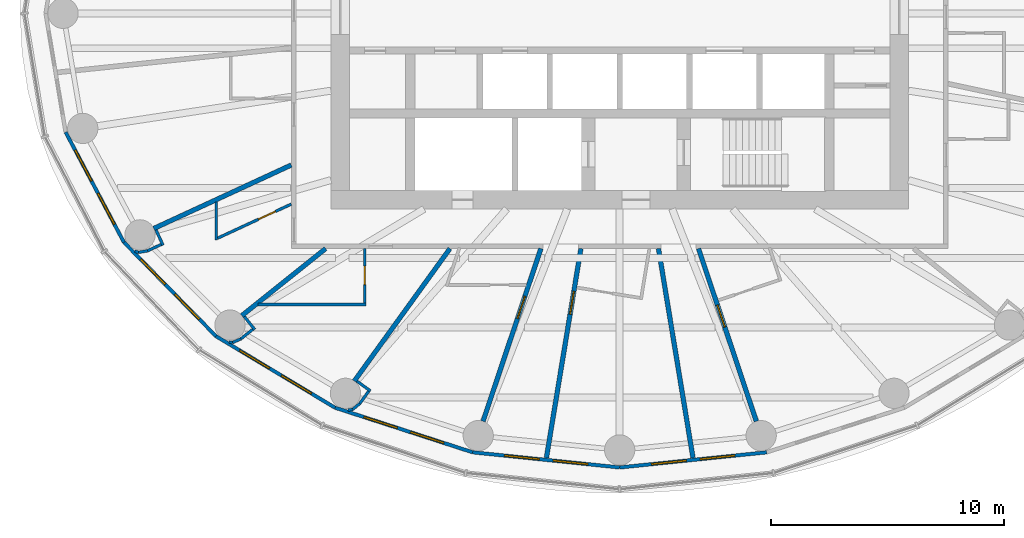
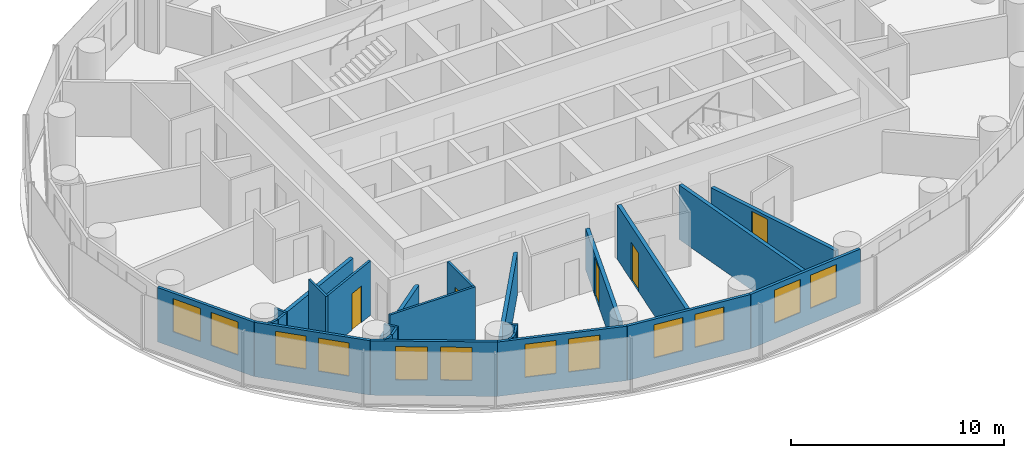
# One storey, part 6 of 14: 29 walls, 12 windows, 5 doors, 17 openings.
"""IFC4 building model written with IfcOpenShell, lengths in metres."""

from ifc_helpers import new_model, si_unit, direction, frame, frame_2d, origin, place, context, subcontext, project, spatial, rectangle, extrude, material, layer, layer_set, type_object, element, fill, save


model = new_model("IFC4")

# Units and contexts
model_context = context("Model", 3, precision=1e-05, world=origin(), true_north=direction((0.0, 1.0)))
body_context = subcontext(model_context, "Body", "Model", "MODEL_VIEW")
ifc_project = project(units=[si_unit("LENGTHUNIT", "METRE"), si_unit("AREAUNIT", "SQUARE_METRE"), si_unit("VOLUMEUNIT", "CUBIC_METRE"), si_unit("PLANEANGLEUNIT", "RADIAN"), si_unit("MASSUNIT", "GRAM", prefix="KILO")], contexts=[model_context])

# Site, building, storey
site_placement = place(None, origin())
site = spatial("IfcSite", under=ifc_project, at=site_placement, CompositionType="ELEMENT")
building_placement = place(site_placement, origin())
building = spatial("IfcBuilding", under=site, at=building_placement, Name="Hankou Lantern Tower", CompositionType="ELEMENT")
storey_placement = place(building_placement, frame((0.0, 0.0, 108.89990234375)))
storey = spatial("IfcBuildingStorey", under=building, at=storey_placement, Name="L27", CompositionType="ELEMENT", Elevation=108.89990234375)

# Wall, openings, windows
ifc_material_1 = material(Name="Aluminium spandrel panel on steel studs", Category="steel")
ifc_layer_1 = layer(ifc_material_1, 0.14990234375)
ifc_layer_set_1 = layer_set([ifc_layer_1], Name="Aluminium spandrel panel on steel studs")
wall_type_1 = type_object("IfcWallType", Name="EW1 INNER SKIN WALL 150", PredefinedType="ELEMENTEDWALL", material=ifc_layer_set_1)
wall_1_placement = place(storey_placement, frame((-23.7919921875, -5.10009765625, 0.0), z_axis=(0.0, 0.0, 1.0), x_axis=(0.467814388454, -0.883826735257, 0.0)))
wall_1 = element("IfcWall", 1, at=wall_1_placement, inside=storey, type_object=wall_type_1, Name="Inner skin R14-R15 L27", PredefinedType="ELEMENTEDWALL", context=body_context, shape_type="SweptSolid", body=[
    extrude(rectangle(XDim=5.35400390625, YDim=0.14990234375, at=frame_2d((2.677001953125, 0.0))), origin(), (0.0, 0.0, 1.0), 3.1201171875),
])
opening_1_placement = place(wall_1_placement, frame((0.876953125, 0.0, 0.89990234375)))
opening_1 = element("IfcOpeningElement", 2, at=opening_1_placement, cuts=wall_1, Name="Opening W2", PredefinedType="OPENING", context=body_context, shape_type="SweptSolid", body=[
    extrude(rectangle(XDim=1.5, YDim=1.89990234375, at=frame_2d((0.75, 0.949951171875))), frame((0.0, 0.0849609375, 0.0), z_axis=(0.0, -1.0, 0.0), x_axis=(1.0, 0.0, 0.0)), (0.0, 0.0, 1.0), 0.169921875),
])
opening_2_placement = place(wall_1_placement, frame((2.97705078125, 0.0, 0.89990234375)))
opening_2 = element("IfcOpeningElement", 3, at=opening_2_placement, cuts=wall_1, Name="Opening W2", PredefinedType="OPENING", context=body_context, shape_type="SweptSolid", body=[
    extrude(rectangle(XDim=1.5, YDim=1.89990234375, at=frame_2d((0.75, 0.949951171875))), frame((0.0, 0.0849609375, 0.0), z_axis=(0.0, -1.0, 0.0), x_axis=(1.0, 0.0, 0.0)), (0.0, 0.0, 1.0), 0.169921875),
])
ifc_material_2 = material(Name="Aluminium framed double glazed window", Category="aluminium")
window_type = type_object("IfcWindowType", Name="W2 GUEST ROOM WINDOW 1500X1900", PartitioningType="DOUBLE_PANEL_VERTICAL", PredefinedType="WINDOW", material=ifc_material_2)
window_1_placement = place(opening_1_placement, origin())
window_1 = element("IfcWindow", 4, at=window_1_placement, inside=storey, type_object=window_type, Name="Window R14.1 L27", OverallHeight=1.89990234375, OverallWidth=1.5, PartitioningType="SINGLE_PANEL", PredefinedType="WINDOW", context=body_context, shape_type="SweptSolid", body=[
    extrude(rectangle(XDim=1.5, YDim=1.89990234375, at=frame_2d((0.75, 0.949951171875))), frame((0.0, 0.030029296875, 0.0), z_axis=(0.0, -1.0, 0.0), x_axis=(1.0, 0.0, 0.0)), (0.0, 0.0, 1.0), 0.06005859375),
])
fill(opening_1, window_1)
window_2_placement = place(opening_2_placement, origin())
window_2 = element("IfcWindow", 5, at=window_2_placement, inside=storey, type_object=window_type, Name="Window R14.2 L27", OverallHeight=1.89990234375, OverallWidth=1.5, PartitioningType="SINGLE_PANEL", PredefinedType="WINDOW", context=body_context, shape_type="SweptSolid", body=[
    extrude(rectangle(XDim=1.5, YDim=1.89990234375, at=frame_2d((0.75, 0.949951171875))), frame((0.0, 0.030029296875, 0.0), z_axis=(0.0, -1.0, 0.0), x_axis=(1.0, 0.0, 0.0)), (0.0, 0.0, 1.0), 0.06005859375),
])
fill(opening_2, window_2)

wall_2_placement = place(storey_placement, frame((-21.287353515625, -9.83203125, 0.0), z_axis=(0.0, 0.0, 1.0), x_axis=(0.700136650834, -0.714008872605, 0.0)))
wall_2 = element("IfcWall", 6, at=wall_2_placement, inside=storey, type_object=wall_type_1, Name="Inner skin R15-R16 L27", PredefinedType="ELEMENTEDWALL", context=body_context, shape_type="SweptSolid", body=[
    extrude(rectangle(XDim=5.6494140625, YDim=0.14990234375, at=frame_2d((2.82470703125, 0.0))), origin(), (0.0, 0.0, 1.0), 3.1201171875),
])
opening_3_placement = place(wall_2_placement, frame((1.024658203125, 0.0, 0.89990234375)))
opening_3 = element("IfcOpeningElement", 7, at=opening_3_placement, cuts=wall_2, Name="Opening W2", PredefinedType="OPENING", context=body_context, shape_type="SweptSolid", body=[
    extrude(rectangle(XDim=1.5, YDim=1.89990234375, at=frame_2d((0.75, 0.949951171875))), frame((0.0, 0.0849609375, 0.0), z_axis=(0.0, -1.0, 0.0), x_axis=(1.0, 0.0, 0.0)), (0.0, 0.0, 1.0), 0.169921875),
])
opening_4_placement = place(wall_2_placement, frame((3.12451171875, 0.0, 0.89990234375)))
opening_4 = element("IfcOpeningElement", 8, at=opening_4_placement, cuts=wall_2, Name="Opening W2", PredefinedType="OPENING", context=body_context, shape_type="SweptSolid", body=[
    extrude(rectangle(XDim=1.5, YDim=1.89990234375, at=frame_2d((0.75, 0.949951171875))), frame((0.0, 0.0849609375, 0.0), z_axis=(0.0, -1.0, 0.0), x_axis=(1.0, 0.0, 0.0)), (0.0, 0.0, 1.0), 0.169921875),
])
window_3_placement = place(opening_3_placement, origin())
window_3 = element("IfcWindow", 9, at=window_3_placement, inside=storey, type_object=window_type, Name="Window R15.1 L27", OverallHeight=1.89990234375, OverallWidth=1.5, PartitioningType="SINGLE_PANEL", PredefinedType="WINDOW", context=body_context, shape_type="SweptSolid", body=[
    extrude(rectangle(XDim=1.5, YDim=1.89990234375, at=frame_2d((0.75, 0.949951171875))), frame((0.0, 0.030029296875, 0.0), z_axis=(0.0, -1.0, 0.0), x_axis=(1.0, 0.0, 0.0)), (0.0, 0.0, 1.0), 0.06005859375),
])
fill(opening_3, window_3)
window_4_placement = place(opening_4_placement, origin())
window_4 = element("IfcWindow", 10, at=window_4_placement, inside=storey, type_object=window_type, Name="Window R15.2 L27", OverallHeight=1.89990234375, OverallWidth=1.5, PartitioningType="SINGLE_PANEL", PredefinedType="WINDOW", context=body_context, shape_type="SweptSolid", body=[
    extrude(rectangle(XDim=1.5, YDim=1.89990234375, at=frame_2d((0.75, 0.949951171875))), frame((0.0, 0.030029296875, 0.0), z_axis=(0.0, -1.0, 0.0), x_axis=(1.0, 0.0, 0.0)), (0.0, 0.0, 1.0), 0.06005859375),
])
fill(opening_4, window_4)

wall_3_placement = place(storey_placement, frame((-17.33203125, -13.86572265625, 0.0), z_axis=(0.0, 0.0, 1.0), x_axis=(0.857308573723, -0.514802884044, 0.0)))
wall_3 = element("IfcWall", 11, at=wall_3_placement, inside=storey, type_object=wall_type_1, Name="Inner skin R16-R17 L27", PredefinedType="ELEMENTEDWALL", context=body_context, shape_type="SweptSolid", body=[
    extrude(rectangle(XDim=5.961181640625, YDim=0.14990234375, at=frame_2d((2.98046875, 0.0))), origin(), (0.0, 0.0, 1.0), 3.1201171875),
])
opening_5_placement = place(wall_3_placement, frame((1.1806640625, 0.0, 0.89990234375)))
opening_5 = element("IfcOpeningElement", 12, at=opening_5_placement, cuts=wall_3, Name="Opening W2", PredefinedType="OPENING", context=body_context, shape_type="SweptSolid", body=[
    extrude(rectangle(XDim=1.5, YDim=1.89990234375, at=frame_2d((0.75, 0.949951171875))), frame((0.0, 0.0849609375, 0.0), z_axis=(0.0, -1.0, 0.0), x_axis=(1.0, 0.0, 0.0)), (0.0, 0.0, 1.0), 0.169921875),
])
opening_6_placement = place(wall_3_placement, frame((3.280517578125, 0.0, 0.89990234375)))
opening_6 = element("IfcOpeningElement", 13, at=opening_6_placement, cuts=wall_3, Name="Opening W2", PredefinedType="OPENING", context=body_context, shape_type="SweptSolid", body=[
    extrude(rectangle(XDim=1.5, YDim=1.89990234375, at=frame_2d((0.75, 0.949951171875))), frame((0.0, 0.0849609375, 0.0), z_axis=(0.0, -1.0, 0.0), x_axis=(1.0, 0.0, 0.0)), (0.0, 0.0, 1.0), 0.169921875),
])
window_5_placement = place(opening_5_placement, origin())
window_5 = element("IfcWindow", 14, at=window_5_placement, inside=storey, type_object=window_type, Name="Window R16.1 L27", OverallHeight=1.89990234375, OverallWidth=1.5, PartitioningType="SINGLE_PANEL", PredefinedType="WINDOW", context=body_context, shape_type="SweptSolid", body=[
    extrude(rectangle(XDim=1.5, YDim=1.89990234375, at=frame_2d((0.75, 0.949951171875))), frame((0.0, 0.030029296875, 0.0), z_axis=(0.0, -1.0, 0.0), x_axis=(1.0, 0.0, 0.0)), (0.0, 0.0, 1.0), 0.06005859375),
])
fill(opening_5, window_5)
window_6_placement = place(opening_6_placement, origin())
window_6 = element("IfcWindow", 15, at=window_6_placement, inside=storey, type_object=window_type, Name="Window R16.2 L27", OverallHeight=1.89990234375, OverallWidth=1.5, PartitioningType="SINGLE_PANEL", PredefinedType="WINDOW", context=body_context, shape_type="SweptSolid", body=[
    extrude(rectangle(XDim=1.5, YDim=1.89990234375, at=frame_2d((0.75, 0.949951171875))), frame((0.0, 0.030029296875, 0.0), z_axis=(0.0, -1.0, 0.0), x_axis=(1.0, 0.0, 0.0)), (0.0, 0.0, 1.0), 0.06005859375),
])
fill(opening_6, window_6)

wall_4_placement = place(storey_placement, frame((-12.221435546875, -16.9345703125, 0.0), z_axis=(0.0, 0.0, 1.0), x_axis=(0.951272691506, -0.308350881944, 0.0)))
wall_4 = element("IfcWall", 16, at=wall_4_placement, inside=storey, type_object=wall_type_1, Name="Inner skin R17-R18 L27", PredefinedType="ELEMENTEDWALL", context=body_context, shape_type="SweptSolid", body=[
    extrude(rectangle(XDim=6.210693359375, YDim=0.14990234375, at=frame_2d((3.10546875, 0.0))), origin(), (0.0, 0.0, 1.0), 3.1201171875),
])
opening_7_placement = place(wall_4_placement, frame((1.305419921875, 0.0, 0.89990234375)))
opening_7 = element("IfcOpeningElement", 17, at=opening_7_placement, cuts=wall_4, Name="Opening W2", PredefinedType="OPENING", context=body_context, shape_type="SweptSolid", body=[
    extrude(rectangle(XDim=1.5, YDim=1.89990234375, at=frame_2d((0.75, 0.949951171875))), frame((0.0, 0.0849609375, 0.0), z_axis=(0.0, -1.0, 0.0), x_axis=(1.0, 0.0, 0.0)), (0.0, 0.0, 1.0), 0.169921875),
])
opening_8_placement = place(wall_4_placement, frame((3.4052734375, 0.0, 0.89990234375)))
opening_8 = element("IfcOpeningElement", 18, at=opening_8_placement, cuts=wall_4, Name="Opening W2", PredefinedType="OPENING", context=body_context, shape_type="SweptSolid", body=[
    extrude(rectangle(XDim=1.5, YDim=1.89990234375, at=frame_2d((0.75, 0.949951171875))), frame((0.0, 0.0849609375, 0.0), z_axis=(0.0, -1.0, 0.0), x_axis=(1.0, 0.0, 0.0)), (0.0, 0.0, 1.0), 0.169921875),
])
window_7_placement = place(opening_7_placement, origin())
window_7 = element("IfcWindow", 19, at=window_7_placement, inside=storey, type_object=window_type, Name="Window R17.1 L27", OverallHeight=1.89990234375, OverallWidth=1.5, PartitioningType="SINGLE_PANEL", PredefinedType="WINDOW", context=body_context, shape_type="SweptSolid", body=[
    extrude(rectangle(XDim=1.5, YDim=1.89990234375, at=frame_2d((0.75, 0.949951171875))), frame((0.0, 0.030029296875, 0.0), z_axis=(0.0, -1.0, 0.0), x_axis=(1.0, 0.0, 0.0)), (0.0, 0.0, 1.0), 0.06005859375),
])
fill(opening_7, window_7)
window_8_placement = place(opening_8_placement, origin())
window_8 = element("IfcWindow", 20, at=window_8_placement, inside=storey, type_object=window_type, Name="Window R17.2 L27", OverallHeight=1.89990234375, OverallWidth=1.5, PartitioningType="SINGLE_PANEL", PredefinedType="WINDOW", context=body_context, shape_type="SweptSolid", body=[
    extrude(rectangle(XDim=1.5, YDim=1.89990234375, at=frame_2d((0.75, 0.949951171875))), frame((0.0, 0.030029296875, 0.0), z_axis=(0.0, -1.0, 0.0), x_axis=(1.0, 0.0, 0.0)), (0.0, 0.0, 1.0), 0.06005859375),
])
fill(opening_8, window_8)

wall_5_placement = place(storey_placement, frame((-6.3134765625, -18.849609375, 0.0), z_axis=(0.0, 0.0, 1.0), x_axis=(0.994735690163, -0.102473931887, 0.0)))
wall_5 = element("IfcWall", 21, at=wall_5_placement, inside=storey, type_object=wall_type_1, Name="Inner skin R18-R19 L27", PredefinedType="ELEMENTEDWALL", context=body_context, shape_type="SweptSolid", body=[
    extrude(rectangle(XDim=6.346923828125, YDim=0.14990234375, at=frame_2d((3.17333984375, 0.0))), origin(), (0.0, 0.0, 1.0), 3.1201171875),
])
opening_9_placement = place(wall_5_placement, frame((1.373291015625, 0.0, 0.89990234375)))
opening_9 = element("IfcOpeningElement", 22, at=opening_9_placement, cuts=wall_5, Name="Opening W2", PredefinedType="OPENING", context=body_context, shape_type="SweptSolid", body=[
    extrude(rectangle(XDim=1.5, YDim=1.89990234375, at=frame_2d((0.75, 0.949951171875))), frame((0.0, 0.0849609375, 0.0), z_axis=(0.0, -1.0, 0.0), x_axis=(1.0, 0.0, 0.0)), (0.0, 0.0, 1.0), 0.169921875),
])
opening_10_placement = place(wall_5_placement, frame((3.473388671875, 0.0, 0.89990234375)))
opening_10 = element("IfcOpeningElement", 23, at=opening_10_placement, cuts=wall_5, Name="Opening W2", PredefinedType="OPENING", context=body_context, shape_type="SweptSolid", body=[
    extrude(rectangle(XDim=1.5, YDim=1.89990234375, at=frame_2d((0.75, 0.949951171875))), frame((0.0, 0.0849609375, 0.0), z_axis=(0.0, -1.0, 0.0), x_axis=(1.0, 0.0, 0.0)), (0.0, 0.0, 1.0), 0.169921875),
])
window_9_placement = place(opening_9_placement, origin())
window_9 = element("IfcWindow", 24, at=window_9_placement, inside=storey, type_object=window_type, Name="Window R18.1 L27", OverallHeight=1.89990234375, OverallWidth=1.5, PartitioningType="SINGLE_PANEL", PredefinedType="WINDOW", context=body_context, shape_type="SweptSolid", body=[
    extrude(rectangle(XDim=1.5, YDim=1.89990234375, at=frame_2d((0.75, 0.949951171875))), frame((0.0, 0.030029296875, 0.0), z_axis=(0.0, -1.0, 0.0), x_axis=(1.0, 0.0, 0.0)), (0.0, 0.0, 1.0), 0.06005859375),
])
fill(opening_9, window_9)
window_10_placement = place(opening_10_placement, origin())
window_10 = element("IfcWindow", 25, at=window_10_placement, inside=storey, type_object=window_type, Name="Window R18.2 L27", OverallHeight=1.89990234375, OverallWidth=1.5, PartitioningType="SINGLE_PANEL", PredefinedType="WINDOW", context=body_context, shape_type="SweptSolid", body=[
    extrude(rectangle(XDim=1.5, YDim=1.89990234375, at=frame_2d((0.75, 0.949951171875))), frame((0.0, 0.030029296875, 0.0), z_axis=(0.0, -1.0, 0.0), x_axis=(1.0, 0.0, 0.0)), (0.0, 0.0, 1.0), 0.06005859375),
])
fill(opening_10, window_10)

wall_6_placement = place(storey_placement, frame((0.0, -19.5, 0.0), z_axis=(0.0, 0.0, 1.0), x_axis=(0.994735690163, 0.102473931887, 0.0)))
wall_6 = element("IfcWall", 26, at=wall_6_placement, inside=storey, type_object=wall_type_1, Name="Inner skin R19-R20 L27", PredefinedType="ELEMENTEDWALL", context=body_context, shape_type="SweptSolid", body=[
    extrude(rectangle(XDim=6.346923828125, YDim=0.14990234375, at=frame_2d((3.17333984375, 0.0))), origin(), (0.0, 0.0, 1.0), 3.1201171875),
])
opening_11_placement = place(wall_6_placement, frame((1.373291015625, 0.0, 0.89990234375)))
opening_11 = element("IfcOpeningElement", 27, at=opening_11_placement, cuts=wall_6, Name="Opening W2", PredefinedType="OPENING", context=body_context, shape_type="SweptSolid", body=[
    extrude(rectangle(XDim=1.5, YDim=1.89990234375, at=frame_2d((0.75, 0.949951171875))), frame((0.0, 0.0849609375, 0.0), z_axis=(0.0, -1.0, 0.0), x_axis=(1.0, 0.0, 0.0)), (0.0, 0.0, 1.0), 0.169921875),
])
opening_12_placement = place(wall_6_placement, frame((3.473388671875, 0.0, 0.89990234375)))
opening_12 = element("IfcOpeningElement", 28, at=opening_12_placement, cuts=wall_6, Name="Opening W2", PredefinedType="OPENING", context=body_context, shape_type="SweptSolid", body=[
    extrude(rectangle(XDim=1.5, YDim=1.89990234375, at=frame_2d((0.75, 0.949951171875))), frame((0.0, 0.0849609375, 0.0), z_axis=(0.0, -1.0, 0.0), x_axis=(1.0, 0.0, 0.0)), (0.0, 0.0, 1.0), 0.169921875),
])
window_11_placement = place(opening_11_placement, origin())
window_11 = element("IfcWindow", 29, at=window_11_placement, inside=storey, type_object=window_type, Name="Window R19.1 L27", OverallHeight=1.89990234375, OverallWidth=1.5, PartitioningType="SINGLE_PANEL", PredefinedType="WINDOW", context=body_context, shape_type="SweptSolid", body=[
    extrude(rectangle(XDim=1.5, YDim=1.89990234375, at=frame_2d((0.75, 0.949951171875))), frame((0.0, 0.030029296875, 0.0), z_axis=(0.0, -1.0, 0.0), x_axis=(1.0, 0.0, 0.0)), (0.0, 0.0, 1.0), 0.06005859375),
])
fill(opening_11, window_11)
window_12_placement = place(opening_12_placement, origin())
window_12 = element("IfcWindow", 30, at=window_12_placement, inside=storey, type_object=window_type, Name="Window R19.2 L27", OverallHeight=1.89990234375, OverallWidth=1.5, PartitioningType="SINGLE_PANEL", PredefinedType="WINDOW", context=body_context, shape_type="SweptSolid", body=[
    extrude(rectangle(XDim=1.5, YDim=1.89990234375, at=frame_2d((0.75, 0.949951171875))), frame((0.0, 0.030029296875, 0.0), z_axis=(0.0, -1.0, 0.0), x_axis=(1.0, 0.0, 0.0)), (0.0, 0.0, 1.0), 0.06005859375),
])
fill(opening_12, window_12)

# Walls
ifc_material_3 = material(Name="Masonry lightweight concrete block", Category="masonry")
ifc_layer_2 = layer(ifc_material_3, 0.199951171875)
ifc_layer_set_2 = layer_set([ifc_layer_2], Name="Masonry lightweight concrete block")
wall_type_2 = type_object("IfcWallType", Name="IW1 GUEST ROOM PARTY WALL 200", PredefinedType="PARTITIONING", material=ifc_layer_set_2)
wall_7_placement = place(storey_placement, frame((-14.10009765625, -6.512451171875, 0.0), z_axis=(0.0, 0.0, 1.0), x_axis=(-0.907833019998, -0.419331858797, 0.0)))
element("IfcWall", 31, at=wall_7_placement, inside=storey, type_object=wall_type_2, Name="Party wall R15", PredefinedType="PARTITIONING", context=body_context, shape_type="SweptSolid", body=[
    extrude(rectangle(XDim=6.505126953125, YDim=0.199951171875, at=frame_2d((3.25244140625, 0.0))), origin(), (0.0, 0.0, 1.0), 2.27001953125),
])
wall_8_placement = place(storey_placement, frame((-12.625, -10.10009765625, 0.0), z_axis=(0.0, 0.0, 1.0), x_axis=(-0.780863644897, -0.624701503182, 0.0)))
element("IfcWall", 32, at=wall_8_placement, inside=storey, type_object=wall_type_2, Name="Party wall R16", PredefinedType="PARTITIONING", context=body_context, shape_type="SweptSolid", body=[
    extrude(rectangle(XDim=4.612060546875, YDim=0.199951171875, at=frame_2d((2.30615234375, 0.0))), origin(), (0.0, 0.0, 1.0), 2.3701171875),
])
wall_9_placement = place(storey_placement, frame((-7.2890625, -10.10009765625, 0.0), z_axis=(0.0, 0.0, 1.0), x_axis=(-0.585217367024, -0.81087645997, 0.0)))
element("IfcWall", 33, at=wall_9_placement, inside=storey, type_object=wall_type_2, Name="Party wall R17", PredefinedType="PARTITIONING", context=body_context, shape_type="SweptSolid", body=[
    extrude(rectangle(XDim=7.01611328125, YDim=0.199951171875, at=frame_2d((3.508056640625, 0.0))), origin(), (0.0, 0.0, 1.0), 2.3701171875),
])

# Wall, opening, door
ifc_material_4 = material(Name="Masonry lightweight concrete block", Category="masonry")
ifc_layer_3 = layer(ifc_material_4, 0.199951171875)
ifc_layer_set_3 = layer_set([ifc_layer_3], Name="Masonry lightweight concrete block")
wall_type_3 = type_object("IfcWallType", Name="IW2 CORRIDOR WALL 200", PredefinedType="PARTITIONING", material=ifc_layer_set_3)
wall_10_placement = place(storey_placement, frame((-3.3828125, -10.10009765625, 0.0), z_axis=(0.0, 0.0, 1.0), x_axis=(-0.317603705574, -0.948223542318, 0.0)))
wall_10 = element("IfcWall", 34, at=wall_10_placement, inside=storey, type_object=wall_type_3, Name="Corridor spur wall R18", PredefinedType="PARTITIONING", context=body_context, shape_type="SweptSolid", body=[
    extrude(rectangle(XDim=7.822998046875, YDim=0.199951171875, at=frame_2d((3.91162109375, 0.0))), origin(), (0.0, 0.0, 1.0), 2.3701171875),
])
opening_13_placement = place(wall_10_placement, frame((2.168212890625, 0.0, 0.0)))
opening_13 = element("IfcOpeningElement", 35, at=opening_13_placement, cuts=wall_10, Name="Opening D1", PredefinedType="OPENING", context=body_context, shape_type="SweptSolid", body=[
    extrude(rectangle(XDim=1.0, YDim=2.199951171875, at=frame_2d((0.5, 1.10009765625))), frame((0.0, 0.10986328125, 0.0), z_axis=(0.0, -1.0, 0.0), x_axis=(1.0, 0.0, 0.0)), (0.0, 0.0, 1.0), 0.219970703125),
])
ifc_material_5 = material(Name="Steel door leaf", Category="steel")
door_type_1 = type_object("IfcDoorType", Name="D1 GUEST ROOM DOOR 1000X2200", OperationType="SINGLE_SWING_LEFT", PredefinedType="DOOR", material=ifc_material_5)
door_1_placement = place(opening_13_placement, origin())
door_1 = element("IfcDoor", 36, at=door_1_placement, inside=storey, type_object=door_type_1, Name="Guest room door 2711", OperationType="SINGLE_SWING_LEFT", OverallHeight=2.199951171875, OverallWidth=1.0, PredefinedType="DOOR", context=body_context, shape_type="SweptSolid", body=[
    extrude(rectangle(XDim=1.0, YDim=2.199951171875, at=frame_2d((0.5, 1.10009765625))), frame((0.0, 0.02490234375, 0.0), z_axis=(0.0, -1.0, 0.0), x_axis=(1.0, 0.0, 0.0)), (0.0, 0.0, 1.0), 0.050048828125),
])
fill(opening_13, door_1)

wall_11_placement = place(storey_placement, frame((-1.665283203125, -10.10009765625, 0.0), z_axis=(0.0, 0.0, 1.0), x_axis=(-0.162660519103, -0.986682094459, 0.0)))
wall_11 = element("IfcWall", 37, at=wall_11_placement, inside=storey, type_object=wall_type_3, Name="Corridor spur wall R18-R19", PredefinedType="PARTITIONING", context=body_context, shape_type="SweptSolid", body=[
    extrude(rectangle(XDim=9.110595703125, YDim=0.199951171875, at=frame_2d((4.55517578125, 0.0))), origin(), (0.0, 0.0, 1.0), 3.1201171875),
])
opening_14_placement = place(wall_11_placement, frame((1.860107421875, 0.0, 0.0)))
opening_14 = element("IfcOpeningElement", 38, at=opening_14_placement, cuts=wall_11, Name="Opening D1", PredefinedType="OPENING", context=body_context, shape_type="SweptSolid", body=[
    extrude(rectangle(XDim=1.0, YDim=2.199951171875, at=frame_2d((0.5, 1.10009765625))), frame((0.0, 0.10986328125, 0.0), z_axis=(0.0, -1.0, 0.0), x_axis=(1.0, 0.0, 0.0)), (0.0, 0.0, 1.0), 0.219970703125),
])
door_2_placement = place(opening_14_placement, origin())
door_2 = element("IfcDoor", 39, at=door_2_placement, inside=storey, type_object=door_type_1, Name="Guest room door 2713", OperationType="SINGLE_SWING_LEFT", OverallHeight=2.199951171875, OverallWidth=1.0, PredefinedType="DOOR", context=body_context, shape_type="SweptSolid", body=[
    extrude(rectangle(XDim=1.0, YDim=2.199951171875, at=frame_2d((0.5, 1.10009765625))), frame((0.0, 0.02490234375, 0.0), z_axis=(0.0, -1.0, 0.0), x_axis=(1.0, 0.0, 0.0)), (0.0, 0.0, 1.0), 0.050048828125),
])
fill(opening_14, door_2)

# Wall
wall_12_placement = place(storey_placement, frame((1.665283203125, -10.10009765625, 0.0), z_axis=(0.0, 0.0, 1.0), x_axis=(0.162660519103, -0.986682094459, 0.0)))
element("IfcWall", 40, at=wall_12_placement, inside=storey, type_object=wall_type_3, Name="Corridor spur wall R19-R20", PredefinedType="PARTITIONING", context=body_context, shape_type="SweptSolid", body=[
    extrude(rectangle(XDim=9.110595703125, YDim=0.199951171875, at=frame_2d((4.55517578125, 0.0))), origin(), (0.0, 0.0, 1.0), 3.1201171875),
])

# Wall, opening, door
wall_13_placement = place(storey_placement, frame((3.3828125, -10.10009765625, 0.0), z_axis=(0.0, 0.0, 1.0), x_axis=(0.317603705574, -0.948223542318, 0.0)))
wall_13 = element("IfcWall", 41, at=wall_13_placement, inside=storey, type_object=wall_type_3, Name="Corridor spur wall R20", PredefinedType="PARTITIONING", context=body_context, shape_type="SweptSolid", body=[
    extrude(rectangle(XDim=7.822998046875, YDim=0.199951171875, at=frame_2d((3.91162109375, 0.0))), origin(), (0.0, 0.0, 1.0), 2.3701171875),
])
opening_15_placement = place(wall_13_placement, frame((2.56005859375, 0.0, 0.0)))
opening_15 = element("IfcOpeningElement", 42, at=opening_15_placement, cuts=wall_13, Name="Opening D2", PredefinedType="OPENING", context=body_context, shape_type="SweptSolid", body=[
    extrude(rectangle(XDim=1.0, YDim=2.199951171875, at=frame_2d((0.5, 1.10009765625))), frame((0.0, 0.10986328125, 0.0), z_axis=(0.0, -1.0, 0.0), x_axis=(1.0, 0.0, 0.0)), (0.0, 0.0, 1.0), 0.219970703125),
])
ifc_material_6 = material(Name="Steel door leaf", Category="steel")
door_type_2 = type_object("IfcDoorType", Name="D2 SUITE DOOR 1000X2200", OperationType="SINGLE_SWING_LEFT", PredefinedType="DOOR", material=ifc_material_6)
door_3_placement = place(opening_15_placement, origin())
door_3 = element("IfcDoor", 43, at=door_3_placement, inside=storey, type_object=door_type_2, Name="Suite door 2715", OperationType="SINGLE_SWING_LEFT", OverallHeight=2.199951171875, OverallWidth=1.0, PredefinedType="DOOR", context=body_context, shape_type="SweptSolid", body=[
    extrude(rectangle(XDim=1.0, YDim=2.199951171875, at=frame_2d((0.5, 1.10009765625))), frame((0.0, 0.02490234375, 0.0), z_axis=(0.0, -1.0, 0.0), x_axis=(1.0, 0.0, 0.0)), (0.0, 0.0, 1.0), 0.050048828125),
])
fill(opening_15, door_3)

# Wall
ifc_material_7 = material(Name="Masonry lightweight concrete block", Category="masonry")
ifc_layer_4 = layer(ifc_material_7, 0.1201171875)
ifc_layer_set_4 = layer_set([ifc_layer_4], Name="Masonry lightweight concrete block")
wall_type_4 = type_object("IfcWallType", Name="IW3 BATHROOM WALL 120", PredefinedType="PARTITIONING", material=ifc_layer_set_4)
wall_14_placement = place(storey_placement, frame((-17.32275390625, -8.10107421875, 0.0), z_axis=(0.0, 0.0, 1.0), x_axis=(0.0, -1.0, 0.0)))
element("IfcWall", 44, at=wall_14_placement, inside=storey, type_object=wall_type_4, Name="Box wall 2709 1", PredefinedType="PARTITIONING", context=body_context, shape_type="SweptSolid", body=[
    extrude(rectangle(XDim=1.639892578125, YDim=0.1201171875, at=frame_2d((0.81982421875, 0.0))), origin(), (0.0, 0.0, 1.0), 3.1201171875),
])

# Wall, opening, door
wall_15_placement = place(storey_placement, frame((-14.10009765625, -8.192626953125, 0.0), z_axis=(0.0, 0.0, 1.0), x_axis=(-0.907836493557, -0.419324338628, 0.0)))
wall_15 = element("IfcWall", 45, at=wall_15_placement, inside=storey, type_object=wall_type_4, Name="Box wall 2709 1", PredefinedType="PARTITIONING", context=body_context, shape_type="SweptSolid", body=[
    extrude(rectangle(XDim=3.48974609375, YDim=0.1201171875, at=frame_2d((1.744873046875, 0.0))), origin(), (0.0, 0.0, 1.0), 3.1201171875),
])
opening_16_placement = place(wall_15_placement, frame((0.75, 0.0, 0.0)))
opening_16 = element("IfcOpeningElement", 46, at=opening_16_placement, cuts=wall_15, Name="Opening D3", PredefinedType="OPENING", context=body_context, shape_type="SweptSolid", body=[
    extrude(rectangle(XDim=0.800048828125, YDim=2.10009765625, at=frame_2d((0.39990234375, 1.050048828125))), frame((0.0, 0.070068359375, 0.0), z_axis=(0.0, -1.0, 0.0), x_axis=(1.0, 0.0, 0.0)), (0.0, 0.0, 1.0), 0.14013671875),
])
ifc_material_8 = material(Name="Timber door leaf", Category="wood")
door_type_3 = type_object("IfcDoorType", Name="D3 BATHROOM DOOR 800X2100", OperationType="SINGLE_SWING_LEFT", PredefinedType="DOOR", material=ifc_material_8)
door_4_placement = place(opening_16_placement, origin())
door_4 = element("IfcDoor", 47, at=door_4_placement, inside=storey, type_object=door_type_3, Name="En-suite bathroom 2709 door", OperationType="SINGLE_SWING_LEFT", OverallHeight=2.10009765625, OverallWidth=0.800048828125, PredefinedType="DOOR", context=body_context, shape_type="SweptSolid", body=[
    extrude(rectangle(XDim=0.800048828125, YDim=2.10009765625, at=frame_2d((0.39990234375, 1.050048828125))), frame((0.0, 0.02490234375, 0.0), z_axis=(0.0, -1.0, 0.0), x_axis=(1.0, 0.0, 0.0)), (0.0, 0.0, 1.0), 0.050048828125),
])
fill(opening_16, door_4)

# Wall
wall_16_placement = place(storey_placement, frame((-15.52490234375, -12.5, 0.0), z_axis=(0.0, 0.0, 1.0), x_axis=(1.0, 0.0, 0.0)))
element("IfcWall", 48, at=wall_16_placement, inside=storey, type_object=wall_type_4, Name="Box wall 2710 1", PredefinedType="PARTITIONING", context=body_context, shape_type="SweptSolid", body=[
    extrude(rectangle(XDim=4.639892578125, YDim=0.1201171875, at=frame_2d((2.31982421875, 0.0))), origin(), (0.0, 0.0, 1.0), 3.1201171875),
])

# Wall, opening, door
wall_17_placement = place(storey_placement, frame((-10.945068359375, -10.10009765625, 0.0), z_axis=(0.0, 0.0, 1.0), x_axis=(0.0, -1.0, 0.0)))
wall_17 = element("IfcWall", 49, at=wall_17_placement, inside=storey, type_object=wall_type_4, Name="Box wall 2710 1", PredefinedType="PARTITIONING", context=body_context, shape_type="SweptSolid", body=[
    extrude(rectangle(XDim=2.33984375, YDim=0.1201171875, at=frame_2d((1.169921875, 0.0))), origin(), (0.0, 0.0, 1.0), 3.1201171875),
])
opening_17_placement = place(wall_17_placement, frame((0.75, 0.0, 0.0)))
opening_17 = element("IfcOpeningElement", 50, at=opening_17_placement, cuts=wall_17, Name="Opening D3", PredefinedType="OPENING", context=body_context, shape_type="SweptSolid", body=[
    extrude(rectangle(XDim=0.800048828125, YDim=2.10009765625, at=frame_2d((0.39990234375, 1.050048828125))), frame((0.0, 0.070068359375, 0.0), z_axis=(0.0, -1.0, 0.0), x_axis=(1.0, 0.0, 0.0)), (0.0, 0.0, 1.0), 0.14013671875),
])
door_5_placement = place(opening_17_placement, origin())
door_5 = element("IfcDoor", 51, at=door_5_placement, inside=storey, type_object=door_type_3, Name="En-suite bathroom 2710 door", OperationType="SINGLE_SWING_LEFT", OverallHeight=2.10009765625, OverallWidth=0.800048828125, PredefinedType="DOOR", context=body_context, shape_type="SweptSolid", body=[
    extrude(rectangle(XDim=0.800048828125, YDim=2.10009765625, at=frame_2d((0.39990234375, 1.050048828125))), frame((0.0, 0.02490234375, 0.0), z_axis=(0.0, -1.0, 0.0), x_axis=(1.0, 0.0, 0.0)), (0.0, 0.0, 1.0), 0.050048828125),
])
fill(opening_17, door_5)

# Walls
ifc_material_9 = material(Name="Masonry lightweight concrete block", Category="masonry")
ifc_layer_5 = layer(ifc_material_9, 0.1201171875)
ifc_layer_set_5 = layer_set([ifc_layer_5], Name="Masonry lightweight concrete block")
wall_type_5 = type_object("IfcWallType", Name="IW4 PARTITION 120", PredefinedType="PARTITIONING", material=ifc_layer_set_5)
wall_18_placement = place(storey_placement, frame((-19.9091796875, -9.305908203125, 0.0), z_axis=(0.0, 0.0, 1.0), x_axis=(0.419296148934, -0.90784951368, 0.0)))
element("IfcWall", 52, at=wall_18_placement, inside=storey, type_object=wall_type_5, Name="Column casing R15 return", PredefinedType="PARTITIONING", context=body_context, shape_type="SweptSolid", body=[
    extrude(rectangle(XDim=0.715576171875, YDim=0.1201171875, at=frame_2d((0.35791015625, 0.0))), origin(), (0.0, 0.0, 1.0), 3.1201171875),
])
wall_19_placement = place(storey_placement, frame((-19.688720703125, -9.92626953125, 0.0), z_axis=(0.0, 0.0, 1.0), x_axis=(-0.907893409272, -0.419201094227, 0.0)))
element("IfcWall", 53, at=wall_19_placement, inside=storey, type_object=wall_type_5, Name="Column casing R15", PredefinedType="PARTITIONING", context=body_context, shape_type="SweptSolid", body=[
    extrude(rectangle(XDim=0.64990234375, YDim=0.1201171875, at=frame_2d((0.324951171875, 0.0))), origin(), (0.0, 0.0, 1.0), 3.1201171875),
])
wall_20_placement = place(storey_placement, frame((-20.27880859375, -10.19873046875, 0.0), z_axis=(0.0, 0.0, 1.0), x_axis=(-0.985380740712, -0.170366651181, 0.0)))
element("IfcWall", 54, at=wall_20_placement, inside=storey, type_object=wall_type_5, Name="Column casing R15", PredefinedType="PARTITIONING", context=body_context, shape_type="SweptSolid", body=[
    extrude(rectangle(XDim=0.39111328125, YDim=0.1201171875, at=frame_2d((0.195556640625, 0.0))), origin(), (0.0, 0.0, 1.0), 3.1201171875),
])
wall_21_placement = place(storey_placement, frame((-20.664306640625, -10.265380859375, 0.0), z_axis=(0.0, 0.0, 1.0), x_axis=(-0.938058651481, 0.346476501918, 0.0)))
element("IfcWall", 55, at=wall_21_placement, inside=storey, type_object=wall_type_5, Name="Column casing R15", PredefinedType="PARTITIONING", context=body_context, shape_type="SweptSolid", body=[
    extrude(rectangle(XDim=0.161376953125, YDim=0.1201171875, at=frame_2d((0.08056640625, 0.0))), origin(), (0.0, 0.0, 1.0), 3.1201171875),
])
wall_22_placement = place(storey_placement, frame((-16.116943359375, -13.021728515625, 0.0), z_axis=(0.0, 0.0, 1.0), x_axis=(0.62465344249, -0.780902091677, 0.0)))
element("IfcWall", 56, at=wall_22_placement, inside=storey, type_object=wall_type_5, Name="Column casing R16 return", PredefinedType="PARTITIONING", context=body_context, shape_type="SweptSolid", body=[
    extrude(rectangle(XDim=0.715576171875, YDim=0.1201171875, at=frame_2d((0.35791015625, 0.0))), origin(), (0.0, 0.0, 1.0), 3.1201171875),
])
wall_23_placement = place(storey_placement, frame((-15.754150390625, -13.5712890625, 0.0), z_axis=(0.0, 0.0, 1.0), x_axis=(-0.780905453553, -0.624649239663, 0.0)))
element("IfcWall", 57, at=wall_23_placement, inside=storey, type_object=wall_type_5, Name="Column casing R16", PredefinedType="PARTITIONING", context=body_context, shape_type="SweptSolid", body=[
    extrude(rectangle(XDim=0.64990234375, YDim=0.1201171875, at=frame_2d((0.324951171875, 0.0))), origin(), (0.0, 0.0, 1.0), 3.1201171875),
])
wall_24_placement = place(storey_placement, frame((-16.26171875, -13.977294921875, 0.0), z_axis=(0.0, 0.0, 1.0), x_axis=(-0.915985403703, -0.401211590314, 0.0)))
element("IfcWall", 58, at=wall_24_placement, inside=storey, type_object=wall_type_5, Name="Column casing R16", PredefinedType="PARTITIONING", context=body_context, shape_type="SweptSolid", body=[
    extrude(rectangle(XDim=0.391357421875, YDim=0.1201171875, at=frame_2d((0.19580078125, 0.0))), origin(), (0.0, 0.0, 1.0), 3.1201171875),
])
wall_25_placement = place(storey_placement, frame((-16.6201171875, -14.13427734375, 0.0), z_axis=(0.0, 0.0, 1.0), x_axis=(-0.993941871493, 0.109907033867, 0.0)))
element("IfcWall", 59, at=wall_25_placement, inside=storey, type_object=wall_type_5, Name="Column casing R16", PredefinedType="PARTITIONING", context=body_context, shape_type="SweptSolid", body=[
    extrude(rectangle(XDim=0.1533203125, YDim=0.1201171875, at=frame_2d((0.07666015625, 0.0))), origin(), (0.0, 0.0, 1.0), 3.1201171875),
])
wall_26_placement = place(storey_placement, frame((-11.27880859375, -15.799072265625, 0.0), z_axis=(0.0, 0.0, 1.0), x_axis=(0.810912957127, -0.585166793285, 0.0)))
element("IfcWall", 60, at=wall_26_placement, inside=storey, type_object=wall_type_5, Name="Column casing R17 return", PredefinedType="PARTITIONING", context=body_context, shape_type="SweptSolid", body=[
    extrude(rectangle(XDim=0.7158203125, YDim=0.1201171875, at=frame_2d((0.35791015625, 0.0))), origin(), (0.0, 0.0, 1.0), 3.1201171875),
])
wall_27_placement = place(storey_placement, frame((-10.781982421875, -16.2314453125, 0.0), z_axis=(0.0, 0.0, 1.0), x_axis=(-0.585175102182, -0.810906961239, 0.0)))
element("IfcWall", 61, at=wall_27_placement, inside=storey, type_object=wall_type_5, Name="Column casing R17", PredefinedType="PARTITIONING", context=body_context, shape_type="SweptSolid", body=[
    extrude(rectangle(XDim=0.64990234375, YDim=0.1201171875, at=frame_2d((0.324951171875, 0.0))), origin(), (0.0, 0.0, 1.0), 3.1201171875),
])
wall_28_placement = place(storey_placement, frame((-11.162353515625, -16.758544921875, 0.0), z_axis=(0.0, 0.0, 1.0), x_axis=(-0.775178428527, -0.63174235567, 0.0)))
element("IfcWall", 62, at=wall_28_placement, inside=storey, type_object=wall_type_5, Name="Column casing R17", PredefinedType="PARTITIONING", context=body_context, shape_type="SweptSolid", body=[
    extrude(rectangle(XDim=0.3916015625, YDim=0.1201171875, at=frame_2d((0.19580078125, 0.0))), origin(), (0.0, 0.0, 1.0), 3.1201171875),
])
wall_29_placement = place(storey_placement, frame((-11.4658203125, -17.005859375, 0.0), z_axis=(0.0, 0.0, 1.0), x_axis=(-0.987228877621, -0.15930832744, 0.0)))
element("IfcWall", 63, at=wall_29_placement, inside=storey, type_object=wall_type_5, Name="Column casing R17", PredefinedType="PARTITIONING", context=body_context, shape_type="SweptSolid", body=[
    extrude(rectangle(XDim=0.202392578125, YDim=0.1201171875, at=frame_2d((0.10107421875, 0.0))), origin(), (0.0, 0.0, 1.0), 3.1201171875),
])

save(model, "model.ifc")
